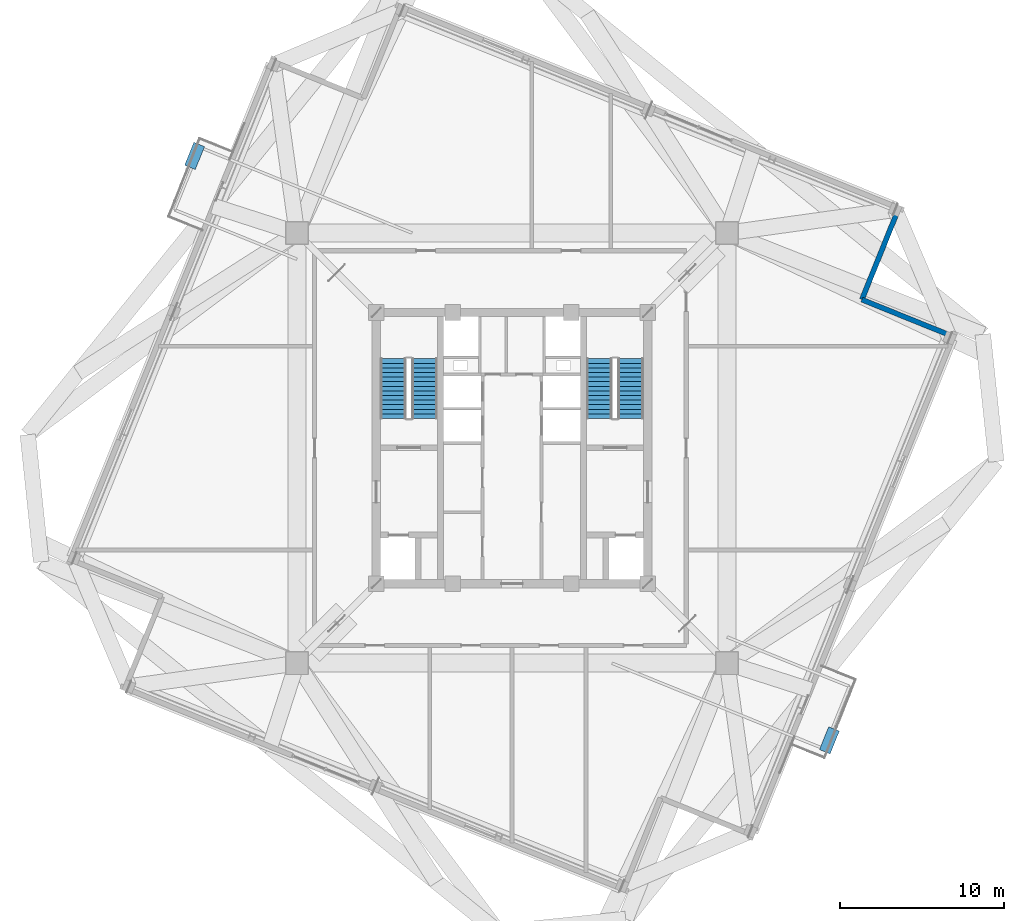
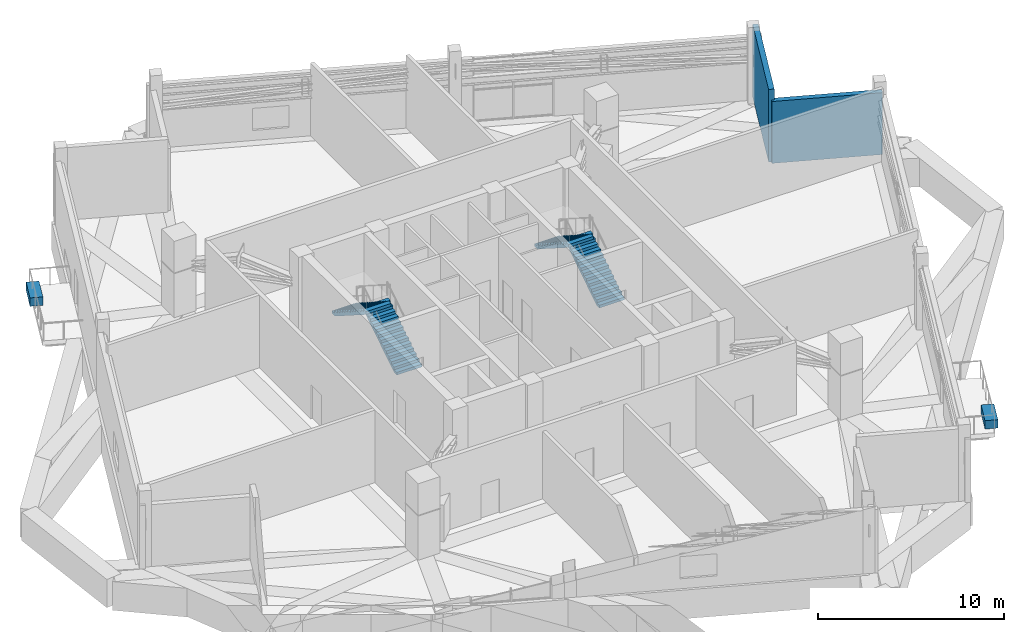
# One storey, part 17 of 20: 4 stair flights, 2 discrete accessories, 2 walls, 2 elements without a shape of their own.
"""IFC4 building model written with IfcOpenShell, lengths in metres."""

from ifc_helpers import new_model, si_unit, direction, frame, frame_2d, origin, origin_2d, place, context, subcontext, project, spatial, polyline, rectangle, outline, extrude, source, transform, mapped, material, layer, layer_set, type_object, element, aggregate, save


model = new_model("IFC4")

# Units and contexts
model_context = context("Model", 3, precision=1e-05, world=origin(), true_north=direction((0.0, 1.0)))
body_context = subcontext(model_context, "Body", "Model", "MODEL_VIEW")
ifc_project = project(units=[si_unit("LENGTHUNIT", "METRE"), si_unit("AREAUNIT", "SQUARE_METRE"), si_unit("VOLUMEUNIT", "CUBIC_METRE"), si_unit("PLANEANGLEUNIT", "RADIAN"), si_unit("MASSUNIT", "GRAM", prefix="KILO"), si_unit("THERMODYNAMICTEMPERATUREUNIT", "KELVIN")], contexts=[model_context])

# Site, building, storey
site_placement = place(None, origin())
site = spatial("IfcSite", under=ifc_project, at=site_placement, CompositionType="ELEMENT")
building_placement = place(site_placement, origin())
building = spatial("IfcBuilding", under=site, at=building_placement, Name="Kosmvard Interchange Tower", CompositionType="ELEMENT")
storey_placement = place(building_placement, frame((0.0, 0.0, 260.199951171875)))
storey = spatial("IfcBuildingStorey", under=building, at=storey_placement, Name="L63", CompositionType="ELEMENT", Elevation=260.199951171875)

# Walls
ifc_material_1 = material(Name="Precast concrete C45/55", Category="concrete")
ifc_layer = layer(ifc_material_1, 0.31005859375, Name="Precast concrete C45/55")
ifc_layer_set = layer_set([ifc_layer], Name="Precast concrete C45/55")
wall_type = type_object("IfcWallType", Name="Upper Tower Precast Pier Wall 310 C45/55", PredefinedType="STANDARD", material=ifc_layer_set)
wall_1_placement = place(storey_placement, frame((26.8408203125, 6.7841796875, 0.0), z_axis=(0.0, 0.0, 1.0), x_axis=(-0.927171722085, 0.374636620962, 0.0)))
element("IfcWall", 1, at=wall_1_placement, inside=storey, type_object=wall_type, Name="L63 Corner Precast Pier N-SE1", PredefinedType="STANDARD", context=body_context, shape_type="SweptSolid", body=[
    extrude(rectangle(XDim=6.0, YDim=0.31005859375, at=frame_2d((3.0, 0.0))), origin(), (0.0, 0.0, 1.0), 4.050048828125),
])
wall_2_placement = place(storey_placement, frame((21.27783203125, 9.031982421875, 0.0), z_axis=(0.0, 0.0, 1.0), x_axis=(0.374602739196, 0.927185411764, 0.0)))
element("IfcWall", 2, at=wall_2_placement, inside=storey, type_object=wall_type, Name="L63 Corner Precast Pier N-SE2", PredefinedType="STANDARD", context=body_context, shape_type="SweptSolid", body=[
    extrude(rectangle(XDim=6.155029296875, YDim=0.31005859375, at=frame_2d((3.07763671875, 0.0))), origin(), (0.0, 0.0, 1.0), 4.75),
])

# Stair, stair flights
ifc_material_2 = material(Name="Concrete C50/60", Category="concrete")
stair_type = type_object("IfcStairType", Name="Dog-Leg Core Exit Stair H5000 C50/60", PredefinedType="HALF_TURN_STAIR", material=ifc_material_2)
stair_1_placement = place(storey_placement, origin())
stair_1 = element("IfcStair", 3, at=stair_1_placement, inside=storey, type_object=stair_type, Name="L63 Protected Exit Stair ST-1", PredefinedType="HALF_TURN_STAIR")
stair_flight_type = type_object("IfcStairFlightType", Name="Core Stair Flight W1550 H5000 C50/60", PredefinedType="STRAIGHT", material=ifc_material_2)
shared_shape_1 = source(origin(), body_context, "Body", "SweptSolid", [
    extrude(outline(polyline([(0.0, 0.0), (0.0, 0.178466796875), (0.280029296875, 0.178466796875), (0.280029296875, 0.357177734375), (0.56005859375, 0.357177734375), (0.56005859375, 0.53564453125), (0.840087890625, 0.53564453125), (0.840087890625, 0.71435546875), (1.1201171875, 0.71435546875), (1.1201171875, 0.892822265625), (1.39990234375, 0.892822265625), (1.39990234375, 1.071533203125), (1.679931640625, 1.071533203125), (1.679931640625, 1.25), (1.9599609375, 1.25), (1.9599609375, 1.428466796875), (2.239990234375, 1.428466796875), (2.239990234375, 1.607177734375), (2.52001953125, 1.607177734375), (2.52001953125, 1.78564453125), (2.800048828125, 1.78564453125), (2.800048828125, 1.96435546875), (3.080078125, 1.96435546875), (3.080078125, 2.142822265625), (3.360107421875, 2.142822265625), (3.360107421875, 2.321533203125), (3.639892578125, 2.321533203125), (3.639892578125, 2.5), (3.639892578125, 2.1318359375), (0.29736328125, 0.0), (0.0, 0.0)])), frame((0.0, 0.77490234375, 0.0), z_axis=(0.0, -1.0, 0.0), x_axis=(1.0, 0.0, 0.0)), (0.0, 0.0, 1.0), 1.550048828125),
])
stair_flight_1_placement = place(storey_placement, frame((-5.31494140625, 1.800048828125, 0.0), z_axis=(0.0, 0.0, 1.0), x_axis=(0.0, 1.0, 0.0)))
stair_flight_1 = element("IfcStairFlight", 4, at=stair_flight_1_placement, type_object=stair_flight_type, Name="ST-1 flight 1", NumberOfRisers=14, NumberOfTreads=13, PredefinedType="STRAIGHT", RiserHeight=0.178571429, TreadLength=0.28, context=body_context, shape_type="MappedRepresentation", body=[
    mapped(shared_shape_1, transform((0.0, 0.0, 0.0), scale=1.0)),
])
stair_flight_2_placement = place(storey_placement, frame((-7.22509765625, 5.43994140625, 2.5), z_axis=(0.0, 0.0, 1.0), x_axis=(0.0, -1.0, 0.0)))
stair_flight_2 = element("IfcStairFlight", 5, at=stair_flight_2_placement, type_object=stair_flight_type, Name="ST-1 flight 2", NumberOfRisers=14, NumberOfTreads=13, PredefinedType="STRAIGHT", RiserHeight=0.178571429, TreadLength=0.28, context=body_context, shape_type="MappedRepresentation", body=[
    mapped(shared_shape_1, transform((0.0, 0.0, 0.0), scale=1.0)),
])
aggregate(stair_1, [stair_flight_1, stair_flight_2])

stair_2_placement = place(storey_placement, origin())
stair_2 = element("IfcStair", 6, at=stair_2_placement, inside=storey, type_object=stair_type, Name="L63 Protected Exit Stair ST-2", PredefinedType="HALF_TURN_STAIR")
stair_flight_3_placement = place(storey_placement, frame((7.22509765625, 1.800048828125, 0.0), z_axis=(0.0, 0.0, 1.0), x_axis=(0.0, 1.0, 0.0)))
stair_flight_3 = element("IfcStairFlight", 7, at=stair_flight_3_placement, type_object=stair_flight_type, Name="ST-2 flight 1", NumberOfRisers=14, NumberOfTreads=13, PredefinedType="STRAIGHT", RiserHeight=0.178571429, TreadLength=0.28, context=body_context, shape_type="MappedRepresentation", body=[
    mapped(shared_shape_1, transform((0.0, 0.0, 0.0), scale=1.0)),
])
stair_flight_4_placement = place(storey_placement, frame((5.31494140625, 5.43994140625, 2.5), z_axis=(0.0, 0.0, 1.0), x_axis=(0.0, -1.0, 0.0)))
stair_flight_4 = element("IfcStairFlight", 8, at=stair_flight_4_placement, type_object=stair_flight_type, Name="ST-2 flight 2", NumberOfRisers=14, NumberOfTreads=13, PredefinedType="STRAIGHT", RiserHeight=0.178571429, TreadLength=0.28, context=body_context, shape_type="MappedRepresentation", body=[
    mapped(shared_shape_1, transform((0.0, 0.0, 0.0), scale=1.0)),
])
aggregate(stair_2, [stair_flight_3, stair_flight_4])

# Discrete accessories
ifc_material_3 = material(Name="Terracotta precast planter concrete C45/55", Category="masonry")
discrete_accessory_type = type_object("IfcDiscreteAccessoryType", Name="Precast Tree-Balcony & Terrace Planter Box", PredefinedType="USERDEFINED", material=ifc_material_3)
shared_shape_2 = source(origin(), body_context, "Body", "SweptSolid", [
    extrude(rectangle(XDim=1.5, YDim=0.699951171875, at=origin_2d()), origin(), (0.0, 0.0, 1.0), 0.550048828125),
])
for number, where, z_axis, x_axis, name in (
    (9, (-19.30322265625, 17.771240234375, 0.0), (0.0, 0.0, 1.0), (0.374606593416, 0.927183854567, 0.0), "L63 Sky-Garden Planter SKG-L63-N"),
    (10, (19.30322265625, -17.771240234375, 0.0), (0.0, 0.0, 1.0), (0.374606593416, 0.927183854567, 0.0), "L63 Sky-Garden Planter SKG-L63-S"),
):
    element("IfcDiscreteAccessory", number, at=place(storey_placement, frame(where, z_axis=z_axis, x_axis=x_axis)), inside=storey, type_object=discrete_accessory_type, Name=name, ObjectType="PLANTER", PredefinedType="USERDEFINED", context=body_context, shape_type="MappedRepresentation", body=[
        mapped(shared_shape_2, transform((0.0, 0.0, 0.0), scale=1.0)),
    ])

save(model, "model.ifc")
